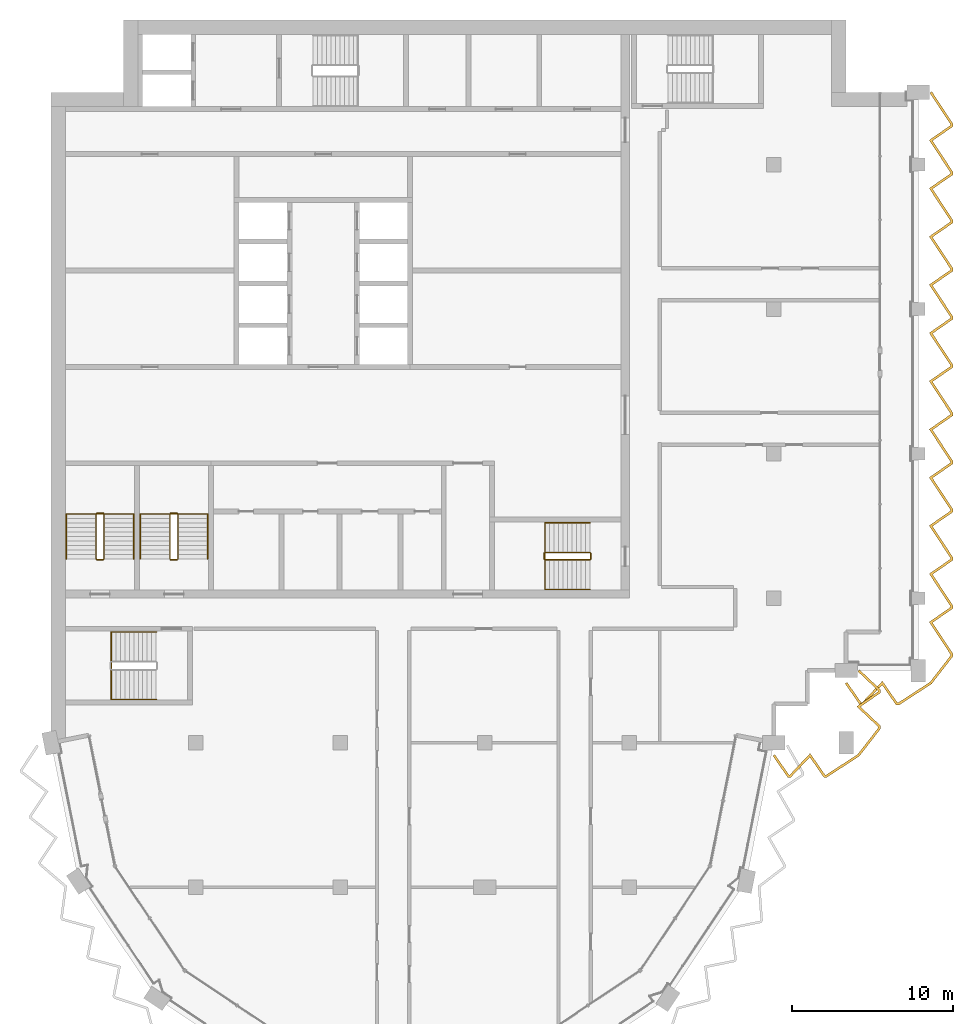
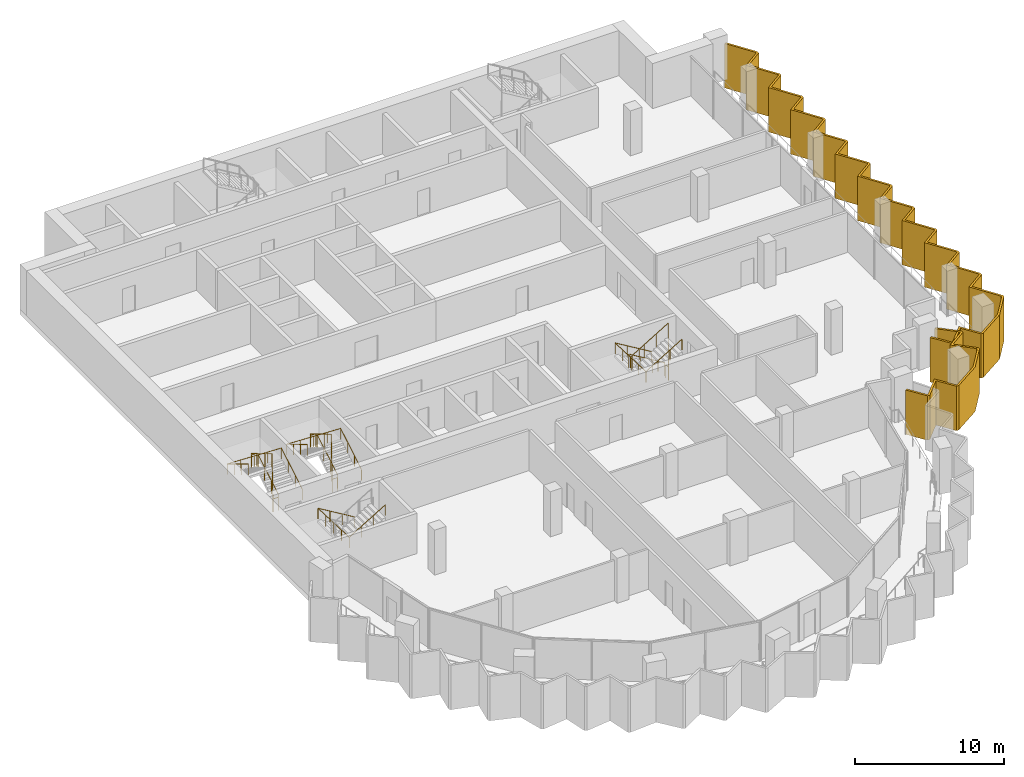
# One storey, part 12 of 13: 7 railings, 2 shading devices.
"""IFC4 building model written with IfcOpenShell, lengths in metres."""

from ifc_helpers import new_model, si_unit, direction, frame, origin, origin_2d, place, context, subcontext, project, spatial, polyline, circle, outline, extrude, material, layer, layer_set, type_object, element, save


model = new_model("IFC4")

# Units and contexts
model_context = context("Model", 3, precision=1e-05, world=origin(), true_north=direction((0.0, 1.0)))
body_context = subcontext(model_context, "Body", "Model", "MODEL_VIEW")
ifc_project = project(units=[si_unit("LENGTHUNIT", "METRE"), si_unit("AREAUNIT", "SQUARE_METRE"), si_unit("VOLUMEUNIT", "CUBIC_METRE"), si_unit("PLANEANGLEUNIT", "RADIAN"), si_unit("MASSUNIT", "GRAM", prefix="KILO")], contexts=[model_context])

# Site, building, storey
site_placement = place(None, origin())
site = spatial("IfcSite", under=ifc_project, at=site_placement, CompositionType="ELEMENT")
building_placement = place(site_placement, origin())
building = spatial("IfcBuilding", under=site, at=building_placement, Name="Hunhe Ridgeline Campus", CompositionType="ELEMENT")
storey_placement = place(building_placement, frame((0.0, 0.0, 280.800048828125)))
storey = spatial("IfcBuildingStorey", under=building, at=storey_placement, Name="L72", CompositionType="ELEMENT", Elevation=280.800048828125)

# Shading devices
ifc_material_1 = material(Name="Concrete C50", Category="concrete")
ifc_layer = layer(ifc_material_1, 0.14990234375)
ifc_layer_set = layer_set([ifc_layer], Name="Sawtooth concrete fin 150 Concrete C50")
shading_device_type = type_object("IfcShadingDeviceType", Name="Sawtooth concrete fin 150 Concrete C50", PredefinedType="USERDEFINED", material=ifc_layer_set)
shading_device_1_placement = place(storey_placement, frame((0.0, 0.0, -0.949951171875)))
element("IfcShadingDevice", 1, at=shading_device_1_placement, inside=storey, type_object=shading_device_type, Name="Concrete fin screen 2", ObjectType="FIN", PredefinedType="USERDEFINED", context=body_context, shape_type="SweptSolid", body=[
    extrude(outline(polyline([(45.0615234375, 53.267822265625), (44.9384765625, 53.18212890625), (45.863525390625, 51.85009765625), (46.054931640625, 51.85009765625), (47.2412109375, 53.106201171875), (48.113525390625, 51.85009765625), (48.294921875, 51.85009765625), (50.326416015625, 53.1689453125), (51.64990234375, 54.876953125), (51.64990234375, 55.054931640625), (50.393798828125, 56.2412109375), (51.64990234375, 57.113525390625), (51.64990234375, 57.304931640625), (50.326416015625, 58.554443359375), (50.2236328125, 58.445556640625), (51.5, 57.240234375), (51.5, 57.19189453125), (50.15625, 56.2587890625), (51.5, 54.990234375), (51.5, 54.92822265625), (50.223388671875, 53.281005859375), (48.25048828125, 52.0), (48.19189453125, 52.0), (47.2587890625, 53.34375), (45.990234375, 52.0), (45.94189453125, 52.0), (45.0615234375, 53.267822265625)])), origin(), (0.0, 0.0, 1.0), 3.64990234375),
])
shading_device_2_placement = place(storey_placement, frame((0.0, 0.0, -0.949951171875)))
element("IfcShadingDevice", 2, at=shading_device_2_placement, inside=storey, type_object=shading_device_type, Name="Concrete fin screen 3", ObjectType="FIN", PredefinedType="USERDEFINED", context=body_context, shape_type="SweptSolid", body=[
    extrude(outline(polyline([(49.5615234375, 57.767822265625), (49.4384765625, 57.68212890625), (50.363525390625, 56.35009765625), (50.554931640625, 56.35009765625), (51.7412109375, 57.606201171875), (52.613525390625, 56.35009765625), (52.794921875, 56.35009765625), (54.826416015625, 57.6689453125), (56.14990234375, 59.376953125), (56.14990234375, 59.545166015625), (54.8779296875, 61.47998046875), (56.14990234375, 62.363525390625), (56.14990234375, 62.545166015625), (54.8779296875, 64.47998046875), (56.14990234375, 65.363525390625), (56.14990234375, 65.545166015625), (54.8779296875, 67.47998046875), (56.14990234375, 68.363525390625), (56.14990234375, 68.545166015625), (54.8779296875, 70.47998046875), (56.14990234375, 71.363525390625), (56.14990234375, 71.545166015625), (54.8779296875, 73.47998046875), (56.14990234375, 74.363525390625), (56.14990234375, 74.545166015625), (54.8779296875, 76.47998046875), (56.14990234375, 77.363525390625), (56.14990234375, 77.545166015625), (54.8779296875, 79.47998046875), (56.14990234375, 80.363525390625), (56.14990234375, 80.545166015625), (54.8779296875, 82.47998046875), (56.14990234375, 83.363525390625), (56.14990234375, 83.545166015625), (54.8779296875, 85.47998046875), (56.14990234375, 86.363525390625), (56.14990234375, 86.545166015625), (54.8779296875, 88.47998046875), (56.14990234375, 89.363525390625), (56.14990234375, 89.545166015625), (54.8779296875, 91.47998046875), (56.14990234375, 92.363525390625), (56.14990234375, 92.545166015625), (54.837646484375, 94.541259765625), (54.71240234375, 94.458740234375), (56.0, 92.500244140625), (56.0, 92.44189453125), (54.672119140625, 91.52001953125), (56.0, 89.500244140625), (56.0, 89.44189453125), (54.672119140625, 88.52001953125), (56.0, 86.500244140625), (56.0, 86.44189453125), (54.672119140625, 85.52001953125), (56.0, 83.500244140625), (56.0, 83.44189453125), (54.672119140625, 82.52001953125), (56.0, 80.500244140625), (56.0, 80.44189453125), (54.672119140625, 79.52001953125), (56.0, 77.500244140625), (56.0, 77.44189453125), (54.672119140625, 76.52001953125), (56.0, 74.500244140625), (56.0, 74.44189453125), (54.672119140625, 73.52001953125), (56.0, 71.500244140625), (56.0, 71.44189453125), (54.672119140625, 70.52001953125), (56.0, 68.500244140625), (56.0, 68.44189453125), (54.672119140625, 67.52001953125), (56.0, 65.500244140625), (56.0, 65.44189453125), (54.672119140625, 64.52001953125), (56.0, 62.500244140625), (56.0, 62.44189453125), (54.672119140625, 61.52001953125), (56.0, 59.500244140625), (56.0, 59.42822265625), (54.723388671875, 57.781005859375), (52.75048828125, 56.5), (52.69189453125, 56.5), (51.7587890625, 57.84375), (50.490234375, 56.5), (50.44189453125, 56.5), (49.5615234375, 57.767822265625)])), origin(), (0.0, 0.0, 1.0), 3.64990234375),
])

# Railings
ifc_material_2 = material(Name="Stainless steel balustrade", Category="steel")
railing_type_1 = type_object("IfcRailingType", Name="Stair guard 1100 stainless", PredefinedType="GUARDRAIL", material=ifc_material_2)
railing_1_placement = place(storey_placement, frame((33.550048828125, 65.85009765625, 0.168212890625)))
element("IfcRailing", 3, at=railing_1_placement, inside=storey, type_object=railing_type_1, Name="L72 stair S2 guard", PredefinedType="GUARDRAIL", context=body_context, shape_type="SweptSolid", body=[
    extrude(circle(Radius=0.02392578125, at=origin_2d()), frame((0.0, 0.0, 1.076171875), z_axis=(-0.857275202839, 0.0, 0.514858452973), x_axis=(0.0, -1.0, 0.0)), (0.0, 0.0, 1.0), 3.26611328125),
    extrude(circle(Radius=0.02392578125, at=origin_2d()), frame((-2.800048828125, 0.0, 2.7578125), z_axis=(-0.707106781187, -0.707106781187, 0.0), x_axis=(0.707106781187, -0.707106781187, 0.0)), (0.0, 0.0, 1.0), 0.07080078125),
    extrude(circle(Radius=0.02392578125, at=origin_2d()), frame((-2.85009765625, -0.050048828125, 2.7578125), z_axis=(0.0, -1.0, 0.0), x_axis=(1.0, 0.0, 0.0)), (0.0, 0.0, 1.0), 0.35009765625),
    extrude(circle(Radius=0.02392578125, at=origin_2d()), frame((-2.85009765625, -0.400146484375, 2.7578125), z_axis=(0.274243871929, -0.274243871929, 0.92172696468), x_axis=(0.707106781187, 0.707106781187, 0.0)), (0.0, 0.0, 1.0), 0.1826171875),
    extrude(circle(Radius=0.02392578125, at=origin_2d()), frame((-2.800048828125, -0.4501953125, 2.92578125), z_axis=(0.857242210791, 0.0, 0.514913383045), x_axis=(0.0, 1.0, 0.0)), (0.0, 0.0, 1.0), 3.266357421875),
    extrude(circle(Radius=0.02392578125, at=origin_2d()), frame((0.0, -0.4501953125, 4.60791015625), z_axis=(0.013524414389, 0.013524414389, -0.999817073484), x_axis=(-0.707106781187, 0.707106781187, 0.0)), (0.0, 0.0, 1.0), 3.70068359375),
    extrude(circle(Radius=0.02392578125, at=origin_2d()), frame((0.050048828125, -0.400146484375, 0.90771484375), z_axis=(0.0, 1.0, 0.0), x_axis=(-1.0, 0.0, 0.0)), (0.0, 0.0, 1.0), 0.35009765625),
    extrude(circle(Radius=0.02099609375, at=origin_2d()), origin(), (0.0, 0.0, 1.0), 1.052001953125),
    extrude(circle(Radius=0.02099609375, at=origin_2d()), frame((-0.933349609375, 0.0, 0.560546875)), (0.0, 0.0, 1.0), 1.052001953125),
    extrude(circle(Radius=0.02099609375, at=origin_2d()), frame((-1.86669921875, 0.0, 1.12109375)), (0.0, 0.0, 1.0), 1.052001953125),
    extrude(circle(Radius=0.02099609375, at=origin_2d()), frame((-2.800048828125, 0.0, 1.681640625)), (0.0, 0.0, 1.0), 1.052001953125),
    extrude(circle(Radius=0.02099609375, at=origin_2d()), frame((-2.85009765625, -0.050048828125, 1.681640625)), (0.0, 0.0, 1.0), 1.052001953125),
    extrude(circle(Radius=0.02099609375, at=origin_2d()), frame((-2.85009765625, -0.400146484375, 1.681640625)), (0.0, 0.0, 1.0), 1.052001953125),
    extrude(circle(Radius=0.02099609375, at=origin_2d()), frame((-2.800048828125, -0.4501953125, 1.849853515625)), (0.0, 0.0, 1.0), 1.052001953125),
    extrude(circle(Radius=0.02099609375, at=origin_2d()), frame((-1.86669921875, -0.4501953125, 2.410400390625)), (0.0, 0.0, 1.0), 1.052001953125),
    extrude(circle(Radius=0.02099609375, at=origin_2d()), frame((-0.933349609375, -0.4501953125, 2.97119140625)), (0.0, 0.0, 1.0), 1.052001953125),
    extrude(circle(Radius=0.02099609375, at=origin_2d()), frame((0.0, -0.4501953125, 3.53173828125)), (0.0, 0.0, 1.0), 1.052001953125),
    extrude(circle(Radius=0.02099609375, at=origin_2d()), frame((0.012451171875, -0.437744140625, 2.606689453125)), (0.0, 0.0, 1.0), 1.052001953125),
    extrude(circle(Radius=0.02099609375, at=origin_2d()), frame((0.02490234375, -0.42529296875, 1.681640625)), (0.0, 0.0, 1.0), 1.052001953125),
    extrude(circle(Radius=0.02099609375, at=origin_2d()), frame((0.03759765625, -0.41259765625, 0.7568359375)), (0.0, 0.0, 1.0), 1.052001953125),
    extrude(circle(Radius=0.02099609375, at=origin_2d()), frame((0.050048828125, -0.400146484375, -0.168212890625)), (0.0, 0.0, 1.0), 1.052001953125),
    extrude(circle(Radius=0.02099609375, at=origin_2d()), frame((0.050048828125, -0.050048828125, -0.168212890625)), (0.0, 0.0, 1.0), 1.052001953125),
])
railing_2_placement = place(storey_placement, frame((3.300048828125, 65.449951171875, 0.168212890625)))
element("IfcRailing", 4, at=railing_2_placement, inside=storey, type_object=railing_type_1, Name="L72 stair S3 guard", PredefinedType="GUARDRAIL", context=body_context, shape_type="SweptSolid", body=[
    extrude(circle(Radius=0.02392578125, at=origin_2d()), frame((0.0, 0.0, 1.076171875), z_axis=(0.0, 0.857275202839, 0.514858452973), x_axis=(-1.0, 0.0, 0.0)), (0.0, 0.0, 1.0), 3.26611328125),
    extrude(circle(Radius=0.02392578125, at=origin_2d()), frame((0.0, 2.800048828125, 2.7578125), z_axis=(-0.707106781187, 0.707106781187, 0.0), x_axis=(-0.707106781187, -0.707106781187, 0.0)), (0.0, 0.0, 1.0), 0.07080078125),
    extrude(circle(Radius=0.02392578125, at=origin_2d()), frame((-0.050048828125, 2.85009765625, 2.7578125), z_axis=(-1.0, 0.0, 0.0), x_axis=(0.0, -1.0, 0.0)), (0.0, 0.0, 1.0), 0.39990234375),
    extrude(circle(Radius=0.02392578125, at=origin_2d()), frame((-0.449951171875, 2.85009765625, 2.7578125), z_axis=(-0.274243871929, -0.274243871929, 0.92172696468), x_axis=(0.707106781187, -0.707106781187, 0.0)), (0.0, 0.0, 1.0), 0.1826171875),
    extrude(circle(Radius=0.02392578125, at=origin_2d()), frame((-0.5, 2.800048828125, 2.92578125), z_axis=(0.0, -0.857242210791, 0.514913383045), x_axis=(1.0, 0.0, 0.0)), (0.0, 0.0, 1.0), 3.266357421875),
    extrude(circle(Radius=0.02392578125, at=origin_2d()), frame((-0.5, 0.0, 4.60791015625), z_axis=(0.013524414389, -0.013524414389, -0.999817073484), x_axis=(0.707106781187, 0.707106781187, 0.0)), (0.0, 0.0, 1.0), 3.70068359375),
    extrude(circle(Radius=0.02392578125, at=origin_2d()), frame((-0.449951171875, -0.050048828125, 0.90771484375), z_axis=(1.0, 0.0, 0.0), x_axis=(0.0, 1.0, 0.0)), (0.0, 0.0, 1.0), 0.39990234375),
    extrude(circle(Radius=0.02099609375, at=origin_2d()), origin(), (0.0, 0.0, 1.0), 1.052001953125),
    extrude(circle(Radius=0.02099609375, at=origin_2d()), frame((0.0, 0.933349609375, 0.560546875)), (0.0, 0.0, 1.0), 1.052001953125),
    extrude(circle(Radius=0.02099609375, at=origin_2d()), frame((0.0, 1.86669921875, 1.12109375)), (0.0, 0.0, 1.0), 1.052001953125),
    extrude(circle(Radius=0.02099609375, at=origin_2d()), frame((0.0, 2.800048828125, 1.681640625)), (0.0, 0.0, 1.0), 1.052001953125),
    extrude(circle(Radius=0.02099609375, at=origin_2d()), frame((-0.050048828125, 2.85009765625, 1.681640625)), (0.0, 0.0, 1.0), 1.052001953125),
    extrude(circle(Radius=0.02099609375, at=origin_2d()), frame((-0.449951171875, 2.85009765625, 1.681640625)), (0.0, 0.0, 1.0), 1.052001953125),
    extrude(circle(Radius=0.02099609375, at=origin_2d()), frame((-0.5, 2.800048828125, 1.849853515625)), (0.0, 0.0, 1.0), 1.052001953125),
    extrude(circle(Radius=0.02099609375, at=origin_2d()), frame((-0.5, 1.86669921875, 2.410400390625)), (0.0, 0.0, 1.0), 1.052001953125),
    extrude(circle(Radius=0.02099609375, at=origin_2d()), frame((-0.5, 0.933349609375, 2.97119140625)), (0.0, 0.0, 1.0), 1.052001953125),
    extrude(circle(Radius=0.02099609375, at=origin_2d()), frame((-0.5, 0.0, 3.53173828125)), (0.0, 0.0, 1.0), 1.052001953125),
    extrude(circle(Radius=0.02099609375, at=origin_2d()), frame((-0.487548828125, -0.012451171875, 2.606689453125)), (0.0, 0.0, 1.0), 1.052001953125),
    extrude(circle(Radius=0.02099609375, at=origin_2d()), frame((-0.47509765625, -0.02490234375, 1.681640625)), (0.0, 0.0, 1.0), 1.052001953125),
    extrude(circle(Radius=0.02099609375, at=origin_2d()), frame((-0.46240234375, -0.03759765625, 0.7568359375)), (0.0, 0.0, 1.0), 1.052001953125),
    extrude(circle(Radius=0.02099609375, at=origin_2d()), frame((-0.449951171875, -0.050048828125, -0.168212890625)), (0.0, 0.0, 1.0), 1.052001953125),
    extrude(circle(Radius=0.02099609375, at=origin_2d()), frame((-0.050048828125, -0.050048828125, -0.168212890625)), (0.0, 0.0, 1.0), 1.052001953125),
])
railing_3_placement = place(storey_placement, frame((7.89990234375, 65.449951171875, 0.168212890625)))
element("IfcRailing", 5, at=railing_3_placement, inside=storey, type_object=railing_type_1, Name="L72 stair S4 guard", PredefinedType="GUARDRAIL", context=body_context, shape_type="SweptSolid", body=[
    extrude(circle(Radius=0.02392578125, at=origin_2d()), frame((0.0, 0.0, 1.076171875), z_axis=(0.0, 0.857275202839, 0.514858452973), x_axis=(-1.0, 0.0, 0.0)), (0.0, 0.0, 1.0), 3.26611328125),
    extrude(circle(Radius=0.02392578125, at=origin_2d()), frame((0.0, 2.800048828125, 2.7578125), z_axis=(-0.705375805398, 0.708833529934, 0.0), x_axis=(-0.708833529934, -0.705375805398, 0.0)), (0.0, 0.0, 1.0), 0.070556640625),
    extrude(circle(Radius=0.02392578125, at=origin_2d()), frame((-0.0498046875, 2.85009765625, 2.7578125), z_axis=(-1.0, 0.0, 0.0), x_axis=(0.0, -1.0, 0.0)), (0.0, 0.0, 1.0), 0.400146484375),
    extrude(circle(Radius=0.02392578125, at=origin_2d()), frame((-0.449951171875, 2.85009765625, 2.7578125), z_axis=(-0.274243871929, -0.274243871929, 0.92172696468), x_axis=(0.707106781187, -0.707106781187, 0.0)), (0.0, 0.0, 1.0), 0.1826171875),
    extrude(circle(Radius=0.02392578125, at=origin_2d()), frame((-0.5, 2.800048828125, 2.92578125), z_axis=(0.0, -0.857242210791, 0.514913383045), x_axis=(1.0, 0.0, 0.0)), (0.0, 0.0, 1.0), 3.266357421875),
    extrude(circle(Radius=0.02392578125, at=origin_2d()), frame((-0.5, 0.0, 4.60791015625), z_axis=(0.013524414389, -0.013524414389, -0.999817073484), x_axis=(0.707106781187, 0.707106781187, 0.0)), (0.0, 0.0, 1.0), 3.70068359375),
    extrude(circle(Radius=0.02392578125, at=origin_2d()), frame((-0.449951171875, -0.050048828125, 0.90771484375), z_axis=(1.0, 0.0, 0.0), x_axis=(0.0, 1.0, 0.0)), (0.0, 0.0, 1.0), 0.400146484375),
    extrude(circle(Radius=0.02099609375, at=origin_2d()), origin(), (0.0, 0.0, 1.0), 1.052001953125),
    extrude(circle(Radius=0.02099609375, at=origin_2d()), frame((0.0, 0.933349609375, 0.560546875)), (0.0, 0.0, 1.0), 1.052001953125),
    extrude(circle(Radius=0.02099609375, at=origin_2d()), frame((0.0, 1.86669921875, 1.12109375)), (0.0, 0.0, 1.0), 1.052001953125),
    extrude(circle(Radius=0.02099609375, at=origin_2d()), frame((0.0, 2.800048828125, 1.681640625)), (0.0, 0.0, 1.0), 1.052001953125),
    extrude(circle(Radius=0.02099609375, at=origin_2d()), frame((-0.0498046875, 2.85009765625, 1.681640625)), (0.0, 0.0, 1.0), 1.052001953125),
    extrude(circle(Radius=0.02099609375, at=origin_2d()), frame((-0.449951171875, 2.85009765625, 1.681640625)), (0.0, 0.0, 1.0), 1.052001953125),
    extrude(circle(Radius=0.02099609375, at=origin_2d()), frame((-0.5, 2.800048828125, 1.849853515625)), (0.0, 0.0, 1.0), 1.052001953125),
    extrude(circle(Radius=0.02099609375, at=origin_2d()), frame((-0.5, 1.86669921875, 2.410400390625)), (0.0, 0.0, 1.0), 1.052001953125),
    extrude(circle(Radius=0.02099609375, at=origin_2d()), frame((-0.5, 0.933349609375, 2.97119140625)), (0.0, 0.0, 1.0), 1.052001953125),
    extrude(circle(Radius=0.02099609375, at=origin_2d()), frame((-0.5, 0.0, 3.53173828125)), (0.0, 0.0, 1.0), 1.052001953125),
    extrude(circle(Radius=0.02099609375, at=origin_2d()), frame((-0.487548828125, -0.012451171875, 2.606689453125)), (0.0, 0.0, 1.0), 1.052001953125),
    extrude(circle(Radius=0.02099609375, at=origin_2d()), frame((-0.47509765625, -0.02490234375, 1.681640625)), (0.0, 0.0, 1.0), 1.052001953125),
    extrude(circle(Radius=0.02099609375, at=origin_2d()), frame((-0.46240234375, -0.03759765625, 0.7568359375)), (0.0, 0.0, 1.0), 1.052001953125),
    extrude(circle(Radius=0.02099609375, at=origin_2d()), frame((-0.449951171875, -0.050048828125, -0.168212890625)), (0.0, 0.0, 1.0), 1.052001953125),
    extrude(circle(Radius=0.02099609375, at=origin_2d()), frame((-0.0498046875, -0.050048828125, -0.168212890625)), (0.0, 0.0, 1.0), 1.052001953125),
])
ifc_material_3 = material(Name="Stainless steel handrail", Category="steel")
railing_type_2 = type_object("IfcRailingType", Name="Stair handrail 900 stainless", PredefinedType="HANDRAIL", material=ifc_material_3)
railing_4_placement = place(storey_placement, frame((33.550048828125, 67.699951171875, 0.168212890625)))
element("IfcRailing", 6, at=railing_4_placement, inside=storey, type_object=railing_type_2, Name="L72 stair S2 handrail", PredefinedType="HANDRAIL", context=body_context, shape_type="SweptSolid", body=[
    extrude(circle(Radius=0.02392578125, at=origin_2d()), frame((0.0, 0.0, 0.8759765625), z_axis=(-0.857275202839, 0.0, 0.514858452973), x_axis=(0.0, -1.0, 0.0)), (0.0, 0.0, 1.0), 3.26611328125),
    extrude(circle(Radius=0.02392578125, at=origin_2d()), frame((-2.800048828125, 0.0, 2.5576171875), z_axis=(0.0, -0.99917950104, 0.040500922239), x_axis=(1.0, 0.0, 0.0)), (0.0, 0.0, 1.0), 4.1533203125),
    extrude(circle(Radius=0.02392578125, at=origin_2d()), frame((-2.800048828125, -4.14990234375, 2.7255859375), z_axis=(0.857242210791, 0.0, 0.514913383045), x_axis=(0.0, 1.0, 0.0)), (0.0, 0.0, 1.0), 3.266357421875),
    extrude(circle(Radius=0.02099609375, at=origin_2d()), origin(), (0.0, 0.0, 1.0), 0.851806640625),
    extrude(circle(Radius=0.02099609375, at=origin_2d()), frame((-0.933349609375, 0.0, 0.560546875)), (0.0, 0.0, 1.0), 0.851806640625),
    extrude(circle(Radius=0.02099609375, at=origin_2d()), frame((-1.86669921875, 0.0, 1.12109375)), (0.0, 0.0, 1.0), 0.851806640625),
    extrude(circle(Radius=0.02099609375, at=origin_2d()), frame((-2.800048828125, 0.0, 1.681640625)), (0.0, 0.0, 1.0), 0.851806640625),
    extrude(circle(Radius=0.02099609375, at=origin_2d()), frame((-2.800048828125, -1.03759765625, 1.7236328125)), (0.0, 0.0, 1.0), 0.851806640625),
    extrude(circle(Radius=0.02099609375, at=origin_2d()), frame((-2.800048828125, -2.074951171875, 1.765625)), (0.0, 0.0, 1.0), 0.851806640625),
    extrude(circle(Radius=0.02099609375, at=origin_2d()), frame((-2.800048828125, -3.1123046875, 1.807861328125)), (0.0, 0.0, 1.0), 0.851806640625),
    extrude(circle(Radius=0.02099609375, at=origin_2d()), frame((-2.800048828125, -4.14990234375, 1.849853515625)), (0.0, 0.0, 1.0), 0.851806640625),
    extrude(circle(Radius=0.02099609375, at=origin_2d()), frame((-1.86669921875, -4.14990234375, 2.410400390625)), (0.0, 0.0, 1.0), 0.851806640625),
    extrude(circle(Radius=0.02099609375, at=origin_2d()), frame((-0.933349609375, -4.14990234375, 2.97119140625)), (0.0, 0.0, 1.0), 0.851806640625),
    extrude(circle(Radius=0.02099609375, at=origin_2d()), frame((0.0, -4.14990234375, 3.53173828125)), (0.0, 0.0, 1.0), 0.851806640625),
])
railing_5_placement = place(storey_placement, frame((5.14990234375, 65.449951171875, 0.168212890625)))
element("IfcRailing", 7, at=railing_5_placement, inside=storey, type_object=railing_type_2, Name="L72 stair S3 handrail", PredefinedType="HANDRAIL", context=body_context, shape_type="SweptSolid", body=[
    extrude(circle(Radius=0.02392578125, at=origin_2d()), frame((0.0, 0.0, 0.8759765625), z_axis=(0.0, 0.857275202839, 0.514858452973), x_axis=(-1.0, 0.0, 0.0)), (0.0, 0.0, 1.0), 3.26611328125),
    extrude(circle(Radius=0.02392578125, at=origin_2d()), frame((0.0, 2.800048828125, 2.5576171875), z_axis=(-0.999198916169, 0.0, 0.040019069537), x_axis=(0.0, -1.0, 0.0)), (0.0, 0.0, 1.0), 4.203369140625),
    extrude(circle(Radius=0.02392578125, at=origin_2d()), frame((-4.199951171875, 2.800048828125, 2.7255859375), z_axis=(0.0, -0.857242210791, 0.514913383045), x_axis=(1.0, 0.0, 0.0)), (0.0, 0.0, 1.0), 3.266357421875),
    extrude(circle(Radius=0.02099609375, at=origin_2d()), origin(), (0.0, 0.0, 1.0), 0.851806640625),
    extrude(circle(Radius=0.02099609375, at=origin_2d()), frame((0.0, 0.933349609375, 0.560546875)), (0.0, 0.0, 1.0), 0.851806640625),
    extrude(circle(Radius=0.02099609375, at=origin_2d()), frame((0.0, 1.86669921875, 1.12109375)), (0.0, 0.0, 1.0), 0.851806640625),
    extrude(circle(Radius=0.02099609375, at=origin_2d()), frame((0.0, 2.800048828125, 1.681640625)), (0.0, 0.0, 1.0), 0.851806640625),
    extrude(circle(Radius=0.02099609375, at=origin_2d()), frame((-1.050048828125, 2.800048828125, 1.7236328125)), (0.0, 0.0, 1.0), 0.851806640625),
    extrude(circle(Radius=0.02099609375, at=origin_2d()), frame((-2.10009765625, 2.800048828125, 1.765625)), (0.0, 0.0, 1.0), 0.851806640625),
    extrude(circle(Radius=0.02099609375, at=origin_2d()), frame((-3.14990234375, 2.800048828125, 1.807861328125)), (0.0, 0.0, 1.0), 0.851806640625),
    extrude(circle(Radius=0.02099609375, at=origin_2d()), frame((-4.199951171875, 2.800048828125, 1.849853515625)), (0.0, 0.0, 1.0), 0.851806640625),
    extrude(circle(Radius=0.02099609375, at=origin_2d()), frame((-4.199951171875, 1.86669921875, 2.410400390625)), (0.0, 0.0, 1.0), 0.851806640625),
    extrude(circle(Radius=0.02099609375, at=origin_2d()), frame((-4.199951171875, 0.933349609375, 2.97119140625)), (0.0, 0.0, 1.0), 0.851806640625),
    extrude(circle(Radius=0.02099609375, at=origin_2d()), frame((-4.199951171875, 0.0, 3.53173828125)), (0.0, 0.0, 1.0), 0.851806640625),
])
railing_6_placement = place(storey_placement, frame((9.75, 65.449951171875, 0.168212890625)))
element("IfcRailing", 8, at=railing_6_placement, inside=storey, type_object=railing_type_2, Name="L72 stair S4 handrail", PredefinedType="HANDRAIL", context=body_context, shape_type="SweptSolid", body=[
    extrude(circle(Radius=0.02392578125, at=origin_2d()), frame((0.0, 0.0, 0.8759765625), z_axis=(0.0, 0.857275202839, 0.514858452973), x_axis=(-1.0, 0.0, 0.0)), (0.0, 0.0, 1.0), 3.26611328125),
    extrude(circle(Radius=0.02392578125, at=origin_2d()), frame((0.0, 2.800048828125, 2.5576171875), z_axis=(-0.999198916169, 0.0, 0.040019069537), x_axis=(0.0, -1.0, 0.0)), (0.0, 0.0, 1.0), 4.203369140625),
    extrude(circle(Radius=0.02392578125, at=origin_2d()), frame((-4.199951171875, 2.800048828125, 2.7255859375), z_axis=(0.0, -0.857242210791, 0.514913383045), x_axis=(1.0, 0.0, 0.0)), (0.0, 0.0, 1.0), 3.266357421875),
    extrude(circle(Radius=0.02099609375, at=origin_2d()), origin(), (0.0, 0.0, 1.0), 0.851806640625),
    extrude(circle(Radius=0.02099609375, at=origin_2d()), frame((0.0, 0.933349609375, 0.560546875)), (0.0, 0.0, 1.0), 0.851806640625),
    extrude(circle(Radius=0.02099609375, at=origin_2d()), frame((0.0, 1.86669921875, 1.12109375)), (0.0, 0.0, 1.0), 0.851806640625),
    extrude(circle(Radius=0.02099609375, at=origin_2d()), frame((0.0, 2.800048828125, 1.681640625)), (0.0, 0.0, 1.0), 0.851806640625),
    extrude(circle(Radius=0.02099609375, at=origin_2d()), frame((-1.050048828125, 2.800048828125, 1.7236328125)), (0.0, 0.0, 1.0), 0.851806640625),
    extrude(circle(Radius=0.02099609375, at=origin_2d()), frame((-2.10009765625, 2.800048828125, 1.765625)), (0.0, 0.0, 1.0), 0.851806640625),
    extrude(circle(Radius=0.02099609375, at=origin_2d()), frame((-3.14990234375, 2.800048828125, 1.807861328125)), (0.0, 0.0, 1.0), 0.851806640625),
    extrude(circle(Radius=0.02099609375, at=origin_2d()), frame((-4.199951171875, 2.800048828125, 1.849853515625)), (0.0, 0.0, 1.0), 0.851806640625),
    extrude(circle(Radius=0.02099609375, at=origin_2d()), frame((-4.199951171875, 1.86669921875, 2.410400390625)), (0.0, 0.0, 1.0), 0.851806640625),
    extrude(circle(Radius=0.02099609375, at=origin_2d()), frame((-4.199951171875, 0.933349609375, 2.97119140625)), (0.0, 0.0, 1.0), 0.851806640625),
    extrude(circle(Radius=0.02099609375, at=origin_2d()), frame((-4.199951171875, 0.0, 3.53173828125)), (0.0, 0.0, 1.0), 0.851806640625),
])
railing_7_placement = place(storey_placement, frame((6.550048828125, 60.89990234375, 0.168212890625)))
element("IfcRailing", 9, at=railing_7_placement, inside=storey, type_object=railing_type_2, Name="L72 stair W2 handrail", PredefinedType="HANDRAIL", context=body_context, shape_type="SweptSolid", body=[
    extrude(circle(Radius=0.02392578125, at=origin_2d()), frame((0.0, 0.0, 0.8759765625), z_axis=(-0.857275202839, 0.0, 0.514858452973), x_axis=(0.0, -1.0, 0.0)), (0.0, 0.0, 1.0), 3.26611328125),
    extrude(circle(Radius=0.02392578125, at=origin_2d()), frame((-2.800048828125, 0.0, 2.5576171875), z_axis=(0.0, -0.999198916169, 0.040019069537), x_axis=(1.0, 0.0, 0.0)), (0.0, 0.0, 1.0), 4.203369140625),
    extrude(circle(Radius=0.02392578125, at=origin_2d()), frame((-2.800048828125, -4.199951171875, 2.7255859375), z_axis=(0.857242210791, 0.0, 0.514913383045), x_axis=(0.0, 1.0, 0.0)), (0.0, 0.0, 1.0), 3.266357421875),
    extrude(circle(Radius=0.02099609375, at=origin_2d()), origin(), (0.0, 0.0, 1.0), 0.851806640625),
    extrude(circle(Radius=0.02099609375, at=origin_2d()), frame((-0.933349609375, 0.0, 0.560546875)), (0.0, 0.0, 1.0), 0.851806640625),
    extrude(circle(Radius=0.02099609375, at=origin_2d()), frame((-1.86669921875, 0.0, 1.12109375)), (0.0, 0.0, 1.0), 0.851806640625),
    extrude(circle(Radius=0.02099609375, at=origin_2d()), frame((-2.800048828125, 0.0, 1.681640625)), (0.0, 0.0, 1.0), 0.851806640625),
    extrude(circle(Radius=0.02099609375, at=origin_2d()), frame((-2.800048828125, -1.050048828125, 1.7236328125)), (0.0, 0.0, 1.0), 0.851806640625),
    extrude(circle(Radius=0.02099609375, at=origin_2d()), frame((-2.800048828125, -2.10009765625, 1.765625)), (0.0, 0.0, 1.0), 0.851806640625),
    extrude(circle(Radius=0.02099609375, at=origin_2d()), frame((-2.800048828125, -3.14990234375, 1.807861328125)), (0.0, 0.0, 1.0), 0.851806640625),
    extrude(circle(Radius=0.02099609375, at=origin_2d()), frame((-2.800048828125, -4.199951171875, 1.849853515625)), (0.0, 0.0, 1.0), 0.851806640625),
    extrude(circle(Radius=0.02099609375, at=origin_2d()), frame((-1.86669921875, -4.199951171875, 2.410400390625)), (0.0, 0.0, 1.0), 0.851806640625),
    extrude(circle(Radius=0.02099609375, at=origin_2d()), frame((-0.933349609375, -4.199951171875, 2.97119140625)), (0.0, 0.0, 1.0), 0.851806640625),
    extrude(circle(Radius=0.02099609375, at=origin_2d()), frame((0.0, -4.199951171875, 3.53173828125)), (0.0, 0.0, 1.0), 0.851806640625),
])

save(model, "model.ifc")
